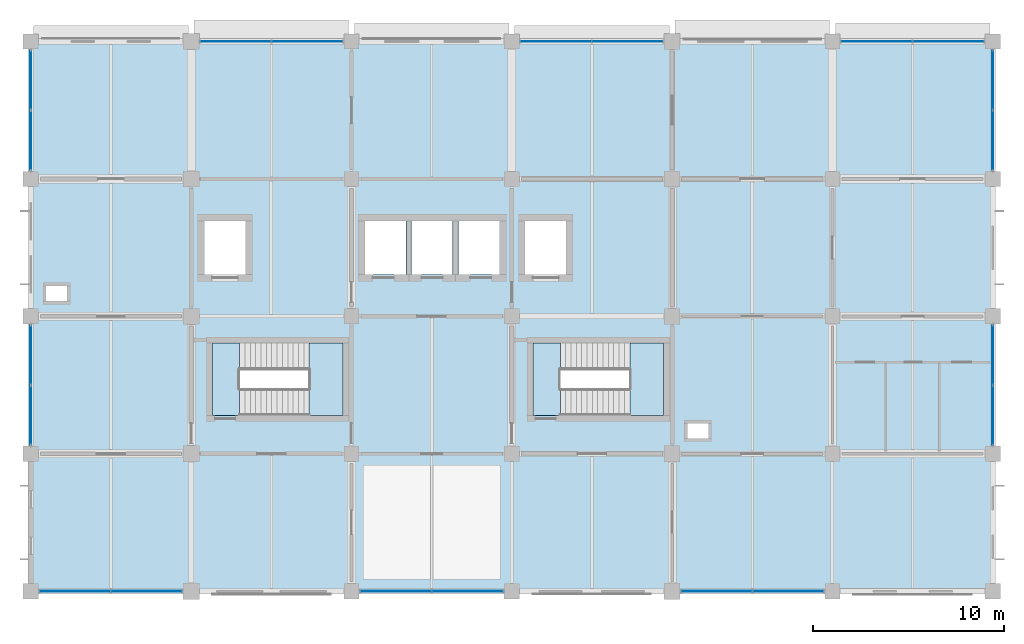
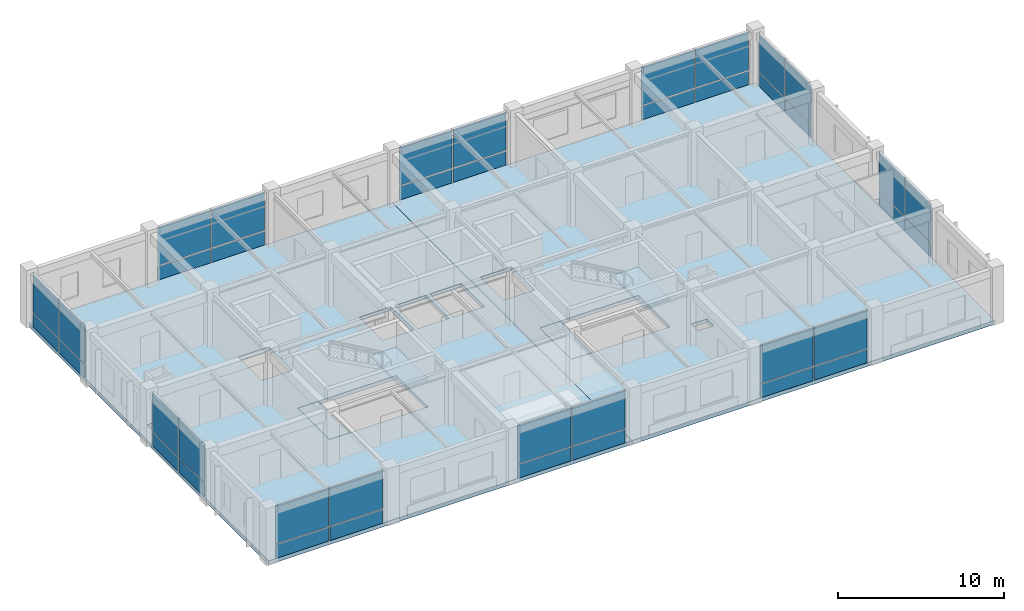
# One storey, part 7 of 13: 40 plates, 6 slabs, 12 elements without a shape of their own.
"""IFC4 building model written with IfcOpenShell, lengths in metres."""

import ifcopenshell
import ifcopenshell.guid

model = None  # the IFC model being written
_history = None  # IfcOwnerHistory: only IFC2X3 demands one
_inside = {}  # id of a spatial element -> (the spatial element, [elements in it])
_under = {}  # id of a project, library or spatial element -> (it, [spatial elements below it])
_declared = {}  # id of a project -> (the project, [libraries it declares])
_typed = {}  # id of a type object -> (the type object, [elements of that type])
_made_of = {}  # id of a material, layer set ... -> (it, [elements and type objects made of it])


def new_model(schema):
    """Start an empty IFC model of exactly this schema.

    Asked for "IFC4X3", IfcOpenShell would pick the latest addendum, in which some entities
    have other attributes; the version numbers below select the first issue.
    IFC2X3 requires an IfcOwnerHistory on every rooted entity: one is made here for all.
    """
    global model, _history
    if schema == "IFC4X3":
        model = ifcopenshell.file(schema_version=(4, 3, 0, 0))
    else:
        model = ifcopenshell.file(schema=schema)
    _inside.clear()
    _under.clear()
    _declared.clear()
    _typed.clear()
    _made_of.clear()
    _history = None
    if model.schema == "IFC2X3":
        org = make("IfcOrganization", Name="unknown")
        user = make(
            "IfcPersonAndOrganization",
            ThePerson=make("IfcPerson", FamilyName="unknown"),
            TheOrganization=org,
        )
        app = make(
            "IfcApplication",
            ApplicationDeveloper=org,
            Version="unknown",
            ApplicationFullName="unknown",
            ApplicationIdentifier="unknown",
        )
        _history = make(
            "IfcOwnerHistory",
            OwningUser=user,
            OwningApplication=app,
            ChangeAction="ADDED",
            CreationDate=0,
        )
    return model


def make(cls, **values):
    """One entity of the class cls with the attributes given. An attribute that is None is left unset."""
    return model.create_entity(
        cls, **{name: value for name, value in values.items() if value is not None}
    )


def rooted(cls, **values):
    """An entity with a GlobalId (a new one), such as an element, a storey or a relation."""
    return make(cls, GlobalId=ifcopenshell.guid.new(), OwnerHistory=_history, **values)


def si_unit(unit_type, name, prefix=None):
    """IfcSIUnit, for example si_unit("LENGTHUNIT", "METRE", prefix="MILLI")."""
    return make("IfcSIUnit", UnitType=unit_type, Prefix=prefix, Name=name)


def derived_unit(unit_type, elements):
    """IfcDerivedUnit: a product of units, each with its exponent."""
    return make(
        "IfcDerivedUnit",
        Elements=[
            make("IfcDerivedUnitElement", Unit=unit, Exponent=power)
            for unit, power in elements
        ],
        UnitType=unit_type,
    )


def assignment(units):
    """IfcUnitAssignment: the units of a project."""
    return None if units is None else make("IfcUnitAssignment", Units=units)


def point(xyz):
    """IfcCartesianPoint."""
    return None if xyz is None else make("IfcCartesianPoint", Coordinates=xyz)


def direction(xyz):
    """IfcDirection."""
    return None if xyz is None else make("IfcDirection", DirectionRatios=xyz)


def frame(location, z_axis=None, x_axis=None):
    """IfcAxis2Placement3D, a coordinate frame: its origin and axes. An axis left out is left unset."""
    return make(
        "IfcAxis2Placement3D",
        Location=point(location),
        Axis=direction(z_axis),
        RefDirection=direction(x_axis),
    )


def frame_2d(location, x_axis=None):
    """IfcAxis2Placement2D, a coordinate frame in the plane: its origin and x axis."""
    return make(
        "IfcAxis2Placement2D", Location=point(location), RefDirection=direction(x_axis)
    )


def origin():
    """The frame at (0, 0, 0) with its axes left unset."""
    return frame((0.0, 0.0, 0.0))


def origin_2d():
    """The frame at (0, 0) in the plane with its x axis left unset."""
    return frame_2d((0.0, 0.0))


def place(relative_to, where):
    """IfcLocalPlacement: puts the frame where relative to a parent placement (None: the world)."""
    return make(
        "IfcLocalPlacement", PlacementRelTo=relative_to, RelativePlacement=where
    )


def context(
    kind, dimensions, precision=None, world=None, true_north=None, identifier=None
):
    """IfcGeometricRepresentationContext, for example the 3D "Model" context."""
    return make(
        "IfcGeometricRepresentationContext",
        ContextIdentifier=identifier,
        ContextType=kind,
        CoordinateSpaceDimension=dimensions,
        Precision=precision,
        WorldCoordinateSystem=world,
        TrueNorth=true_north,
    )


def subcontext(parent, identifier, kind, view, scale=None):
    """IfcGeometricRepresentationSubContext, for example "Body" below "Model"."""
    return make(
        "IfcGeometricRepresentationSubContext",
        ContextIdentifier=identifier,
        ContextType=kind,
        ParentContext=parent,
        TargetScale=scale,
        TargetView=view,
    )


def project(units=None, contexts=None):
    """IfcProject with its units and contexts."""
    return rooted(
        "IfcProject",
        Name="project",
        RepresentationContexts=contexts,
        UnitsInContext=assignment(units),
    )


def spatial(cls, under=None, at=None, **own):
    """A site, building, storey or space (cls), placed at a placement, below another one or the project."""
    s = rooted(cls, ObjectPlacement=at, **own)
    if under is not None:
        _under.setdefault(under.id(), (under, []))[1].append(s)
    return s


def polyline(points):
    """IfcPolyline through the points."""
    return make("IfcPolyline", Points=[point(p) for p in points])


def profile(cls, at=None, kind="AREA", **sizes):
    """A parametric profile (cls). Its sizes go by their IFC names, for example OverallWidth=200.0."""
    return make(cls, ProfileType=kind, Position=at, **sizes)


def rectangle(**sizes):
    """IfcRectangleProfileDef."""
    return profile("IfcRectangleProfileDef", **sizes)


def outline(outer, holes=None, kind="AREA"):
    """IfcArbitraryClosedProfileDef: a profile drawn as a closed curve; with holes, ...WithVoids."""
    if holes is None:
        return make("IfcArbitraryClosedProfileDef", ProfileType=kind, OuterCurve=outer)
    return make(
        "IfcArbitraryProfileDefWithVoids",
        ProfileType=kind,
        OuterCurve=outer,
        InnerCurves=holes,
    )


def extrude(swept, where, along, depth):
    """IfcExtrudedAreaSolid: the profile swept, set in the frame where, extruded along a direction by depth."""
    return make(
        "IfcExtrudedAreaSolid",
        SweptArea=swept,
        Position=where,
        ExtrudedDirection=direction(along),
        Depth=depth,
    )


def shape(context_of_items, identifier, shape_type, items):
    """IfcShapeRepresentation: the items that make up one representation, for example the "Body"."""
    return make(
        "IfcShapeRepresentation",
        ContextOfItems=context_of_items,
        RepresentationIdentifier=identifier,
        RepresentationType=shape_type,
        Items=items,
    )


def material(Name=None, Category=None):
    """IfcMaterial."""
    return make("IfcMaterial", Name=Name, Category=Category)


def layer(
    of_material, thickness, ventilated=None, Name=None, Category=None, Priority=None
):
    """IfcMaterialLayer: one layer of a wall or slab, of a material (None: an air gap)."""
    return make(
        "IfcMaterialLayer",
        Material=of_material,
        LayerThickness=thickness,
        IsVentilated=ventilated,
        Name=Name,
        Category=Category,
        Priority=Priority,
    )


def layer_set(layers, Name=None):
    """IfcMaterialLayerSet."""
    return make("IfcMaterialLayerSet", MaterialLayers=layers, LayerSetName=Name)


def made_of(thing, what):
    """Note that an element or type object is made of a material, layer set ...; save() writes the relation."""
    if what is not None:
        _made_of.setdefault(what.id(), (what, []))[1].append(thing)
    return thing


def type_object(cls, material=None, **own):
    """A type object (cls), such as IfcWallType, which elements share."""
    return made_of(rooted(cls, **own), material)


def element(
    cls,
    number,
    at=None,
    inside=None,
    cuts=None,
    type_object=None,
    material=None,
    context=None,
    identifier="Body",
    shape_type=None,
    held_by="IfcProductDefinitionShape",
    body=None,
    shapes=None,
    **own,
):
    """One element of the class cls, such as IfcWall. Its Tag is "e" and its number.

    at: its placement. inside: the storey or other place that contains it. cuts: it is an
    opening in that element (IfcRelVoidsElement). A single representation is given by context,
    identifier, shape_type and body (its items); several are given by shapes. held_by: the class
    of the entity that holds the representations. save() writes the other relations.
    """
    e = rooted(cls, Tag="e%d" % number, ObjectPlacement=at, **own)
    if body is not None:
        shapes = [shape(context, identifier, shape_type, body)]
    if shapes is not None:
        e.Representation = make(held_by, Representations=shapes)
    if inside is not None:
        _inside.setdefault(inside.id(), (inside, []))[1].append(e)
    if cuts is not None:
        rooted(
            "IfcRelVoidsElement", RelatingBuildingElement=cuts, RelatedOpeningElement=e
        )
    if type_object is not None:
        _typed.setdefault(type_object.id(), (type_object, []))[1].append(e)
    return made_of(e, material)


def aggregate(whole, parts):
    """IfcRelAggregates: a whole, such as a stair, and the parts it consists of."""
    return rooted("IfcRelAggregates", RelatingObject=whole, RelatedObjects=parts)


def save(model, path):
    """Write the relations noted so far, then the file.

    IfcRelAggregates (storeys below a building ...), IfcRelContainedInSpatialStructure (elements
    in a storey), IfcRelDefinesByType, IfcRelAssociatesMaterial and IfcRelDeclares: one each for
    every whole, place, type object, material and project.
    """
    for whole, parts in _under.values():
        aggregate(whole, parts)
    for where, things in _inside.values():
        rooted(
            "IfcRelContainedInSpatialStructure",
            RelatedElements=things,
            RelatingStructure=where,
        )
    for kind, things in _typed.values():
        rooted("IfcRelDefinesByType", RelatedObjects=things, RelatingType=kind)
    for what, things in _made_of.values():
        rooted("IfcRelAssociatesMaterial", RelatedObjects=things, RelatingMaterial=what)
    for by, libraries in _declared.values():
        rooted("IfcRelDeclares", RelatingContext=by, RelatedDefinitions=libraries)
    model.write(path)


model = new_model("IFC4")

# Units and contexts
model_context = context("Model", 3, precision=1e-05, world=origin(), true_north=direction((0.0, 1.0)))
body_context = subcontext(model_context, "Body", "Model", "MODEL_VIEW")
ifc_project = project(units=[si_unit("LENGTHUNIT", "METRE"), si_unit("AREAUNIT", "SQUARE_METRE"), si_unit("VOLUMEUNIT", "CUBIC_METRE"), si_unit("PLANEANGLEUNIT", "RADIAN"), si_unit("MASSUNIT", "GRAM", prefix="KILO"), derived_unit("THERMALTRANSMITTANCEUNIT", [(si_unit("MASSUNIT", "GRAM", prefix="KILO"), 1), (si_unit("TIMEUNIT", "SECOND"), -3), (si_unit("THERMODYNAMICTEMPERATUREUNIT", "KELVIN"), -1)])], contexts=[model_context])

# Site, building, storey
site_placement = place(None, origin())
site = spatial("IfcSite", under=ifc_project, at=site_placement, CompositionType="ELEMENT")
building_placement = place(site_placement, origin())
building = spatial("IfcBuilding", under=site, at=building_placement, Name="Veldstrom Oceanarium and Marine Research Institute", CompositionType="ELEMENT")
storey_placement = place(building_placement, frame((0.0, 0.0, 27.0)))
storey = spatial("IfcBuildingStorey", under=building, at=storey_placement, Name="L05", CompositionType="ELEMENT", Elevation=27.0)

# Curtain wall, plates
ifc_material_1 = material(Name="Anodised Aluminium Framing", Category="aluminium")
curtain_wall_type_1 = type_object("IfcCurtainWallType", Name="ARC-CW-CW04", PredefinedType="USERDEFINED", material=ifc_material_1)
curtain_wall_1_placement = place(storey_placement, origin())
curtain_wall_1 = element("IfcCurtainWall", 1, at=curtain_wall_1_placement, inside=storey, type_object=curtain_wall_type_1, Name="Curtain Wall CW04 CW-L05-090", ObjectType="Curtain wall", PredefinedType="USERDEFINED")
ifc_material_2 = material(Name="Double Glazed Low-E IGU", Category="glass")
ifc_layer_1 = layer(ifc_material_2, 0.035888671875)
ifc_layer_set_1 = layer_set([ifc_layer_1], Name="ARC-PLT-CP03")
plate_type_1 = type_object("IfcPlateType", Name="ARC-PLT-CP03", PredefinedType="CURTAIN_PANEL", material=ifc_layer_set_1)
plate_1_placement = place(storey_placement, frame((69.513671875, 43.199951171875, 1.090087890625), z_axis=(0.0, 0.0, 1.0), x_axis=(1.0, 0.0, 0.0)))
plate_1 = element("IfcPlate", 2, at=plate_1_placement, type_object=plate_type_1, Name="Curtain Vision Panel CW-L05-090-PNL-V1", PredefinedType="CURTAIN_PANEL", context=body_context, shape_type="SweptSolid", body=[
    extrude(rectangle(XDim=3.66748046875, YDim=0.035888671875, at=origin_2d()), origin(), (0.0, 0.0, 1.0), 2.81005859375),
])
plate_2_placement = place(storey_placement, frame((73.26123046875, 43.199951171875, 1.090087890625), z_axis=(0.0, 0.0, 1.0), x_axis=(1.0, 0.0, 0.0)))
plate_2 = element("IfcPlate", 3, at=plate_2_placement, type_object=plate_type_1, Name="Curtain Vision Panel CW-L05-090-PNL-V2", PredefinedType="CURTAIN_PANEL", context=body_context, shape_type="SweptSolid", body=[
    extrude(rectangle(XDim=3.66748046875, YDim=0.035888671875, at=origin_2d()), origin(), (0.0, 0.0, 1.0), 2.81005859375),
])

curtain_wall_2_placement = place(storey_placement, origin())
curtain_wall_2 = element("IfcCurtainWall", 4, at=curtain_wall_2_placement, inside=storey, type_object=curtain_wall_type_1, Name="Curtain Wall CW04 CW-L05-093", ObjectType="Curtain wall", PredefinedType="USERDEFINED")
plate_3_placement = place(storey_placement, frame((77.938720703125, 72.0, 1.090087890625), z_axis=(0.0, 0.0, 1.0), x_axis=(1.0, 0.0, 0.0)))
plate_3 = element("IfcPlate", 5, at=plate_3_placement, type_object=plate_type_1, Name="Curtain Vision Panel CW-L05-093-PNL-V1", PredefinedType="CURTAIN_PANEL", context=body_context, shape_type="SweptSolid", body=[
    extrude(rectangle(XDim=3.66748046875, YDim=0.035888671875, at=origin_2d()), origin(), (0.0, 0.0, 1.0), 2.81005859375),
])
plate_4_placement = place(storey_placement, frame((81.686279296875, 72.0, 1.090087890625), z_axis=(0.0, 0.0, 1.0), x_axis=(1.0, 0.0, 0.0)))
plate_4 = element("IfcPlate", 6, at=plate_4_placement, type_object=plate_type_1, Name="Curtain Vision Panel CW-L05-093-PNL-V2", PredefinedType="CURTAIN_PANEL", context=body_context, shape_type="SweptSolid", body=[
    extrude(rectangle(XDim=3.66748046875, YDim=0.035888671875, at=origin_2d()), origin(), (0.0, 0.0, 1.0), 2.81005859375),
])

curtain_wall_3_placement = place(storey_placement, origin())
curtain_wall_3 = element("IfcCurtainWall", 7, at=curtain_wall_3_placement, inside=storey, type_object=curtain_wall_type_1, Name="Curtain Wall CW04 CW-L05-094", ObjectType="Curtain wall", PredefinedType="USERDEFINED")
plate_5_placement = place(storey_placement, frame((86.320068359375, 43.199951171875, 1.090087890625), z_axis=(0.0, 0.0, 1.0), x_axis=(1.0, 0.0, 0.0)))
plate_5 = element("IfcPlate", 8, at=plate_5_placement, type_object=plate_type_1, Name="Curtain Vision Panel CW-L05-094-PNL-V1", PredefinedType="CURTAIN_PANEL", context=body_context, shape_type="SweptSolid", body=[
    extrude(rectangle(XDim=3.679931640625, YDim=0.035888671875, at=origin_2d()), origin(), (0.0, 0.0, 1.0), 2.81005859375),
])
plate_6_placement = place(storey_placement, frame((90.080078125, 43.199951171875, 1.090087890625), z_axis=(0.0, 0.0, 1.0), x_axis=(1.0, 0.0, 0.0)))
plate_6 = element("IfcPlate", 9, at=plate_6_placement, type_object=plate_type_1, Name="Curtain Vision Panel CW-L05-094-PNL-V2", PredefinedType="CURTAIN_PANEL", context=body_context, shape_type="SweptSolid", body=[
    extrude(rectangle(XDim=3.679931640625, YDim=0.035888671875, at=origin_2d()), origin(), (0.0, 0.0, 1.0), 2.81005859375),
])

curtain_wall_4_placement = place(storey_placement, origin())
curtain_wall_4 = element("IfcCurtainWall", 10, at=curtain_wall_4_placement, inside=storey, type_object=curtain_wall_type_1, Name="Curtain Wall CW04 CW-L05-095", ObjectType="Curtain wall", PredefinedType="USERDEFINED")
plate_7_placement = place(storey_placement, frame((94.713623046875, 72.0, 1.090087890625), z_axis=(0.0, 0.0, 1.0), x_axis=(1.0, 0.0, 0.0)))
plate_7 = element("IfcPlate", 11, at=plate_7_placement, type_object=plate_type_1, Name="Curtain Vision Panel CW-L05-095-PNL-V1", PredefinedType="CURTAIN_PANEL", context=body_context, shape_type="SweptSolid", body=[
    extrude(rectangle(XDim=3.66748046875, YDim=0.035888671875, at=origin_2d()), origin(), (0.0, 0.0, 1.0), 2.81005859375),
])
plate_8_placement = place(storey_placement, frame((98.461181640625, 72.0, 1.090087890625), z_axis=(0.0, 0.0, 1.0), x_axis=(1.0, 0.0, 0.0)))
plate_8 = element("IfcPlate", 12, at=plate_8_placement, type_object=plate_type_1, Name="Curtain Vision Panel CW-L05-095-PNL-V2", PredefinedType="CURTAIN_PANEL", context=body_context, shape_type="SweptSolid", body=[
    extrude(rectangle(XDim=3.66748046875, YDim=0.035888671875, at=origin_2d()), origin(), (0.0, 0.0, 1.0), 2.81005859375),
])

curtain_wall_5_placement = place(storey_placement, origin())
curtain_wall_5 = element("IfcCurtainWall", 13, at=curtain_wall_5_placement, inside=storey, type_object=curtain_wall_type_1, Name="Curtain Wall CW04 CW-L05-096", ObjectType="Curtain wall", PredefinedType="USERDEFINED")
plate_9_placement = place(storey_placement, frame((103.138671875, 43.199951171875, 1.090087890625), z_axis=(0.0, 0.0, 1.0), x_axis=(1.0, 0.0, 0.0)))
plate_9 = element("IfcPlate", 14, at=plate_9_placement, type_object=plate_type_1, Name="Curtain Vision Panel CW-L05-096-PNL-V1", PredefinedType="CURTAIN_PANEL", context=body_context, shape_type="SweptSolid", body=[
    extrude(rectangle(XDim=3.66748046875, YDim=0.035888671875, at=origin_2d()), origin(), (0.0, 0.0, 1.0), 2.81005859375),
])
plate_10_placement = place(storey_placement, frame((106.88623046875, 43.199951171875, 1.090087890625), z_axis=(0.0, 0.0, 1.0), x_axis=(1.0, 0.0, 0.0)))
plate_10 = element("IfcPlate", 15, at=plate_10_placement, type_object=plate_type_1, Name="Curtain Vision Panel CW-L05-096-PNL-V2", PredefinedType="CURTAIN_PANEL", context=body_context, shape_type="SweptSolid", body=[
    extrude(rectangle(XDim=3.66748046875, YDim=0.035888671875, at=origin_2d()), origin(), (0.0, 0.0, 1.0), 2.81005859375),
])

curtain_wall_6_placement = place(storey_placement, origin())
curtain_wall_6 = element("IfcCurtainWall", 16, at=curtain_wall_6_placement, inside=storey, type_object=curtain_wall_type_1, Name="Curtain Wall CW04 CW-L05-098", ObjectType="Curtain wall", PredefinedType="USERDEFINED")
plate_11_placement = place(storey_placement, frame((111.52001953125, 72.0, 1.090087890625), z_axis=(0.0, 0.0, 1.0), x_axis=(1.0, 0.0, 0.0)))
plate_11 = element("IfcPlate", 17, at=plate_11_placement, type_object=plate_type_1, Name="Curtain Vision Panel CW-L05-098-PNL-V1", PredefinedType="CURTAIN_PANEL", context=body_context, shape_type="SweptSolid", body=[
    extrude(rectangle(XDim=3.679931640625, YDim=0.035888671875, at=origin_2d()), origin(), (0.0, 0.0, 1.0), 2.81005859375),
])
plate_12_placement = place(storey_placement, frame((115.280029296875, 72.0, 1.090087890625), z_axis=(0.0, 0.0, 1.0), x_axis=(1.0, 0.0, 0.0)))
plate_12 = element("IfcPlate", 18, at=plate_12_placement, type_object=plate_type_1, Name="Curtain Vision Panel CW-L05-098-PNL-V2", PredefinedType="CURTAIN_PANEL", context=body_context, shape_type="SweptSolid", body=[
    extrude(rectangle(XDim=3.679931640625, YDim=0.035888671875, at=origin_2d()), origin(), (0.0, 0.0, 1.0), 2.81005859375),
])

# Plate
ifc_material_3 = material(Name="Insulated Aluminium Spandrel", Category="aluminium")
ifc_layer_2 = layer(ifc_material_3, 0.044921875)
ifc_layer_set_2 = layer_set([ifc_layer_2], Name="ARC-PLT-CP04")
plate_type_2 = type_object("IfcPlateType", Name="ARC-PLT-CP04", PredefinedType="CURTAIN_PANEL", material=ifc_layer_set_2)
plate_13_placement = place(storey_placement, frame((69.513671875, 43.199951171875, 0.02001953125), z_axis=(0.0, 0.0, 1.0), x_axis=(1.0, 0.0, 0.0)))
plate_13 = element("IfcPlate", 19, at=plate_13_placement, type_object=plate_type_2, Name="Curtain Spandrel Panel CW-L05-090-PNL-S1", PredefinedType="CURTAIN_PANEL", context=body_context, shape_type="SweptSolid", body=[
    extrude(rectangle(XDim=3.66748046875, YDim=0.044921875, at=origin_2d()), origin(), (0.0, 0.0, 1.0), 0.989990234375),
])

plate_14_placement = place(storey_placement, frame((73.26123046875, 43.199951171875, 0.02001953125), z_axis=(0.0, 0.0, 1.0), x_axis=(1.0, 0.0, 0.0)))
plate_14 = element("IfcPlate", 20, at=plate_14_placement, type_object=plate_type_2, Name="Curtain Spandrel Panel CW-L05-090-PNL-S2", PredefinedType="CURTAIN_PANEL", context=body_context, shape_type="SweptSolid", body=[
    extrude(rectangle(XDim=3.66748046875, YDim=0.044921875, at=origin_2d()), origin(), (0.0, 0.0, 1.0), 0.989990234375),
])

aggregate(curtain_wall_1, [plate_13, plate_1, plate_14, plate_2])

plate_15_placement = place(storey_placement, frame((77.938720703125, 72.0, 0.02001953125), z_axis=(0.0, 0.0, 1.0), x_axis=(1.0, 0.0, 0.0)))
plate_15 = element("IfcPlate", 21, at=plate_15_placement, type_object=plate_type_2, Name="Curtain Spandrel Panel CW-L05-093-PNL-S1", PredefinedType="CURTAIN_PANEL", context=body_context, shape_type="SweptSolid", body=[
    extrude(rectangle(XDim=3.66748046875, YDim=0.044921875, at=origin_2d()), origin(), (0.0, 0.0, 1.0), 0.989990234375),
])

plate_16_placement = place(storey_placement, frame((81.686279296875, 72.0, 0.02001953125), z_axis=(0.0, 0.0, 1.0), x_axis=(1.0, 0.0, 0.0)))
plate_16 = element("IfcPlate", 22, at=plate_16_placement, type_object=plate_type_2, Name="Curtain Spandrel Panel CW-L05-093-PNL-S2", PredefinedType="CURTAIN_PANEL", context=body_context, shape_type="SweptSolid", body=[
    extrude(rectangle(XDim=3.66748046875, YDim=0.044921875, at=origin_2d()), origin(), (0.0, 0.0, 1.0), 0.989990234375),
])

aggregate(curtain_wall_2, [plate_15, plate_3, plate_16, plate_4])

plate_17_placement = place(storey_placement, frame((86.320068359375, 43.199951171875, 0.02001953125), z_axis=(0.0, 0.0, 1.0), x_axis=(1.0, 0.0, 0.0)))
plate_17 = element("IfcPlate", 23, at=plate_17_placement, type_object=plate_type_2, Name="Curtain Spandrel Panel CW-L05-094-PNL-S1", PredefinedType="CURTAIN_PANEL", context=body_context, shape_type="SweptSolid", body=[
    extrude(rectangle(XDim=3.679931640625, YDim=0.044921875, at=origin_2d()), origin(), (0.0, 0.0, 1.0), 0.989990234375),
])

plate_18_placement = place(storey_placement, frame((90.080078125, 43.199951171875, 0.02001953125), z_axis=(0.0, 0.0, 1.0), x_axis=(1.0, 0.0, 0.0)))
plate_18 = element("IfcPlate", 24, at=plate_18_placement, type_object=plate_type_2, Name="Curtain Spandrel Panel CW-L05-094-PNL-S2", PredefinedType="CURTAIN_PANEL", context=body_context, shape_type="SweptSolid", body=[
    extrude(rectangle(XDim=3.679931640625, YDim=0.044921875, at=origin_2d()), origin(), (0.0, 0.0, 1.0), 0.989990234375),
])

aggregate(curtain_wall_3, [plate_17, plate_5, plate_18, plate_6])

plate_19_placement = place(storey_placement, frame((94.713623046875, 72.0, 0.02001953125), z_axis=(0.0, 0.0, 1.0), x_axis=(1.0, 0.0, 0.0)))
plate_19 = element("IfcPlate", 25, at=plate_19_placement, type_object=plate_type_2, Name="Curtain Spandrel Panel CW-L05-095-PNL-S1", PredefinedType="CURTAIN_PANEL", context=body_context, shape_type="SweptSolid", body=[
    extrude(rectangle(XDim=3.66748046875, YDim=0.044921875, at=origin_2d()), origin(), (0.0, 0.0, 1.0), 0.989990234375),
])

plate_20_placement = place(storey_placement, frame((98.461181640625, 72.0, 0.02001953125), z_axis=(0.0, 0.0, 1.0), x_axis=(1.0, 0.0, 0.0)))
plate_20 = element("IfcPlate", 26, at=plate_20_placement, type_object=plate_type_2, Name="Curtain Spandrel Panel CW-L05-095-PNL-S2", PredefinedType="CURTAIN_PANEL", context=body_context, shape_type="SweptSolid", body=[
    extrude(rectangle(XDim=3.66748046875, YDim=0.044921875, at=origin_2d()), origin(), (0.0, 0.0, 1.0), 0.989990234375),
])

aggregate(curtain_wall_4, [plate_19, plate_7, plate_20, plate_8])

plate_21_placement = place(storey_placement, frame((103.138671875, 43.199951171875, 0.02001953125), z_axis=(0.0, 0.0, 1.0), x_axis=(1.0, 0.0, 0.0)))
plate_21 = element("IfcPlate", 27, at=plate_21_placement, type_object=plate_type_2, Name="Curtain Spandrel Panel CW-L05-096-PNL-S1", PredefinedType="CURTAIN_PANEL", context=body_context, shape_type="SweptSolid", body=[
    extrude(rectangle(XDim=3.66748046875, YDim=0.044921875, at=origin_2d()), origin(), (0.0, 0.0, 1.0), 0.989990234375),
])

plate_22_placement = place(storey_placement, frame((106.88623046875, 43.199951171875, 0.02001953125), z_axis=(0.0, 0.0, 1.0), x_axis=(1.0, 0.0, 0.0)))
plate_22 = element("IfcPlate", 28, at=plate_22_placement, type_object=plate_type_2, Name="Curtain Spandrel Panel CW-L05-096-PNL-S2", PredefinedType="CURTAIN_PANEL", context=body_context, shape_type="SweptSolid", body=[
    extrude(rectangle(XDim=3.66748046875, YDim=0.044921875, at=origin_2d()), origin(), (0.0, 0.0, 1.0), 0.989990234375),
])

aggregate(curtain_wall_5, [plate_21, plate_9, plate_22, plate_10])

plate_23_placement = place(storey_placement, frame((111.52001953125, 72.0, 0.02001953125), z_axis=(0.0, 0.0, 1.0), x_axis=(1.0, 0.0, 0.0)))
plate_23 = element("IfcPlate", 29, at=plate_23_placement, type_object=plate_type_2, Name="Curtain Spandrel Panel CW-L05-098-PNL-S1", PredefinedType="CURTAIN_PANEL", context=body_context, shape_type="SweptSolid", body=[
    extrude(rectangle(XDim=3.679931640625, YDim=0.044921875, at=origin_2d()), origin(), (0.0, 0.0, 1.0), 0.989990234375),
])

plate_24_placement = place(storey_placement, frame((115.280029296875, 72.0, 0.02001953125), z_axis=(0.0, 0.0, 1.0), x_axis=(1.0, 0.0, 0.0)))
plate_24 = element("IfcPlate", 30, at=plate_24_placement, type_object=plate_type_2, Name="Curtain Spandrel Panel CW-L05-098-PNL-S2", PredefinedType="CURTAIN_PANEL", context=body_context, shape_type="SweptSolid", body=[
    extrude(rectangle(XDim=3.679931640625, YDim=0.044921875, at=origin_2d()), origin(), (0.0, 0.0, 1.0), 0.989990234375),
])

aggregate(curtain_wall_6, [plate_23, plate_11, plate_24, plate_12])

# Curtain wall, plates
ifc_material_4 = material(Name="Anodised Aluminium Framing", Category="aluminium")
curtain_wall_type_2 = type_object("IfcCurtainWallType", Name="ARC-CW-CW08", PredefinedType="USERDEFINED", material=ifc_material_4)
curtain_wall_7_placement = place(storey_placement, origin())
curtain_wall_7 = element("IfcCurtainWall", 31, at=curtain_wall_7_placement, inside=storey, type_object=curtain_wall_type_2, Name="Curtain Wall CW08 CW-L05-091", ObjectType="Curtain wall", PredefinedType="USERDEFINED")
ifc_material_5 = material(Name="Double Glazed Low-E IGU", Category="glass")
ifc_layer_3 = layer(ifc_material_5, 0.035888671875)
ifc_layer_set_3 = layer_set([ifc_layer_3], Name="ARC-PLT-CP07")
plate_type_3 = type_object("IfcPlateType", Name="ARC-PLT-CP07", PredefinedType="CURTAIN_PANEL", material=ifc_layer_set_3)
plate_25_placement = place(storey_placement, frame((67.199951171875, 52.419921875, 1.090087890625), z_axis=(0.0, 0.0, 1.0), x_axis=(0.0, 1.0, 0.0)))
plate_25 = element("IfcPlate", 32, at=plate_25_placement, type_object=plate_type_3, Name="Curtain Vision Panel CW-L05-091-PNL-V1", PredefinedType="CURTAIN_PANEL", context=body_context, shape_type="SweptSolid", body=[
    extrude(rectangle(XDim=3.080078125, YDim=0.035888671875, at=origin_2d()), origin(), (0.0, 0.0, 1.0), 2.81005859375),
])
plate_26_placement = place(storey_placement, frame((67.199951171875, 55.580078125, 1.090087890625), z_axis=(0.0, 0.0, 1.0), x_axis=(0.0, 1.0, 0.0)))
plate_26 = element("IfcPlate", 33, at=plate_26_placement, type_object=plate_type_3, Name="Curtain Vision Panel CW-L05-091-PNL-V2", PredefinedType="CURTAIN_PANEL", context=body_context, shape_type="SweptSolid", body=[
    extrude(rectangle(XDim=3.080078125, YDim=0.035888671875, at=origin_2d()), origin(), (0.0, 0.0, 1.0), 2.81005859375),
])

curtain_wall_8_placement = place(storey_placement, origin())
curtain_wall_8 = element("IfcCurtainWall", 34, at=curtain_wall_8_placement, inside=storey, type_object=curtain_wall_type_2, Name="Curtain Wall CW08 CW-L05-092", ObjectType="Curtain wall", PredefinedType="USERDEFINED")
plate_27_placement = place(storey_placement, frame((67.199951171875, 66.820068359375, 1.090087890625), z_axis=(0.0, 0.0, 1.0), x_axis=(0.0, 1.0, 0.0)))
plate_27 = element("IfcPlate", 35, at=plate_27_placement, type_object=plate_type_3, Name="Curtain Vision Panel CW-L05-092-PNL-V1", PredefinedType="CURTAIN_PANEL", context=body_context, shape_type="SweptSolid", body=[
    extrude(rectangle(XDim=3.080078125, YDim=0.035888671875, at=origin_2d()), origin(), (0.0, 0.0, 1.0), 2.81005859375),
])
plate_28_placement = place(storey_placement, frame((67.199951171875, 69.97998046875, 1.090087890625), z_axis=(0.0, 0.0, 1.0), x_axis=(0.0, 1.0, 0.0)))
plate_28 = element("IfcPlate", 36, at=plate_28_placement, type_object=plate_type_3, Name="Curtain Vision Panel CW-L05-092-PNL-V2", PredefinedType="CURTAIN_PANEL", context=body_context, shape_type="SweptSolid", body=[
    extrude(rectangle(XDim=3.080078125, YDim=0.035888671875, at=origin_2d()), origin(), (0.0, 0.0, 1.0), 2.81005859375),
])

curtain_wall_9_placement = place(storey_placement, origin())
curtain_wall_9 = element("IfcCurtainWall", 37, at=curtain_wall_9_placement, inside=storey, type_object=curtain_wall_type_2, Name="Curtain Wall CW08 CW-L05-097", ObjectType="Curtain wall", PredefinedType="USERDEFINED")
plate_29_placement = place(storey_placement, frame((117.60009765625, 52.419921875, 1.090087890625), z_axis=(0.0, 0.0, 1.0), x_axis=(0.0, 1.0, 0.0)))
plate_29 = element("IfcPlate", 38, at=plate_29_placement, type_object=plate_type_3, Name="Curtain Vision Panel CW-L05-097-PNL-V1", PredefinedType="CURTAIN_PANEL", context=body_context, shape_type="SweptSolid", body=[
    extrude(rectangle(XDim=3.080078125, YDim=0.035888671875, at=origin_2d()), origin(), (0.0, 0.0, 1.0), 2.81005859375),
])
plate_30_placement = place(storey_placement, frame((117.60009765625, 55.580078125, 1.090087890625), z_axis=(0.0, 0.0, 1.0), x_axis=(0.0, 1.0, 0.0)))
plate_30 = element("IfcPlate", 39, at=plate_30_placement, type_object=plate_type_3, Name="Curtain Vision Panel CW-L05-097-PNL-V2", PredefinedType="CURTAIN_PANEL", context=body_context, shape_type="SweptSolid", body=[
    extrude(rectangle(XDim=3.080078125, YDim=0.035888671875, at=origin_2d()), origin(), (0.0, 0.0, 1.0), 2.81005859375),
])

curtain_wall_10_placement = place(storey_placement, origin())
curtain_wall_10 = element("IfcCurtainWall", 40, at=curtain_wall_10_placement, inside=storey, type_object=curtain_wall_type_2, Name="Curtain Wall CW08 CW-L05-099", ObjectType="Curtain wall", PredefinedType="USERDEFINED")
plate_31_placement = place(storey_placement, frame((117.60009765625, 66.820068359375, 1.090087890625), z_axis=(0.0, 0.0, 1.0), x_axis=(0.0, 1.0, 0.0)))
plate_31 = element("IfcPlate", 41, at=plate_31_placement, type_object=plate_type_3, Name="Curtain Vision Panel CW-L05-099-PNL-V1", PredefinedType="CURTAIN_PANEL", context=body_context, shape_type="SweptSolid", body=[
    extrude(rectangle(XDim=3.080078125, YDim=0.035888671875, at=origin_2d()), origin(), (0.0, 0.0, 1.0), 2.81005859375),
])
plate_32_placement = place(storey_placement, frame((117.60009765625, 69.97998046875, 1.090087890625), z_axis=(0.0, 0.0, 1.0), x_axis=(0.0, 1.0, 0.0)))
plate_32 = element("IfcPlate", 42, at=plate_32_placement, type_object=plate_type_3, Name="Curtain Vision Panel CW-L05-099-PNL-V2", PredefinedType="CURTAIN_PANEL", context=body_context, shape_type="SweptSolid", body=[
    extrude(rectangle(XDim=3.080078125, YDim=0.035888671875, at=origin_2d()), origin(), (0.0, 0.0, 1.0), 2.81005859375),
])

# Plate
ifc_material_6 = material(Name="Insulated Aluminium Spandrel", Category="aluminium")
ifc_layer_4 = layer(ifc_material_6, 0.044921875)
ifc_layer_set_4 = layer_set([ifc_layer_4], Name="ARC-PLT-CP08")
plate_type_4 = type_object("IfcPlateType", Name="ARC-PLT-CP08", PredefinedType="CURTAIN_PANEL", material=ifc_layer_set_4)
plate_33_placement = place(storey_placement, frame((67.199951171875, 52.419921875, 0.02001953125), z_axis=(0.0, 0.0, 1.0), x_axis=(0.0, 1.0, 0.0)))
plate_33 = element("IfcPlate", 43, at=plate_33_placement, type_object=plate_type_4, Name="Curtain Spandrel Panel CW-L05-091-PNL-S1", PredefinedType="CURTAIN_PANEL", context=body_context, shape_type="SweptSolid", body=[
    extrude(rectangle(XDim=3.080078125, YDim=0.044921875, at=origin_2d()), origin(), (0.0, 0.0, 1.0), 0.989990234375),
])

plate_34_placement = place(storey_placement, frame((67.199951171875, 55.580078125, 0.02001953125), z_axis=(0.0, 0.0, 1.0), x_axis=(0.0, 1.0, 0.0)))
plate_34 = element("IfcPlate", 44, at=plate_34_placement, type_object=plate_type_4, Name="Curtain Spandrel Panel CW-L05-091-PNL-S2", PredefinedType="CURTAIN_PANEL", context=body_context, shape_type="SweptSolid", body=[
    extrude(rectangle(XDim=3.080078125, YDim=0.044921875, at=origin_2d()), origin(), (0.0, 0.0, 1.0), 0.989990234375),
])

aggregate(curtain_wall_7, [plate_33, plate_25, plate_34, plate_26])

plate_35_placement = place(storey_placement, frame((67.199951171875, 66.820068359375, 0.02001953125), z_axis=(0.0, 0.0, 1.0), x_axis=(0.0, 1.0, 0.0)))
plate_35 = element("IfcPlate", 45, at=plate_35_placement, type_object=plate_type_4, Name="Curtain Spandrel Panel CW-L05-092-PNL-S1", PredefinedType="CURTAIN_PANEL", context=body_context, shape_type="SweptSolid", body=[
    extrude(rectangle(XDim=3.080078125, YDim=0.044921875, at=origin_2d()), origin(), (0.0, 0.0, 1.0), 0.989990234375),
])

plate_36_placement = place(storey_placement, frame((67.199951171875, 69.97998046875, 0.02001953125), z_axis=(0.0, 0.0, 1.0), x_axis=(0.0, 1.0, 0.0)))
plate_36 = element("IfcPlate", 46, at=plate_36_placement, type_object=plate_type_4, Name="Curtain Spandrel Panel CW-L05-092-PNL-S2", PredefinedType="CURTAIN_PANEL", context=body_context, shape_type="SweptSolid", body=[
    extrude(rectangle(XDim=3.080078125, YDim=0.044921875, at=origin_2d()), origin(), (0.0, 0.0, 1.0), 0.989990234375),
])

aggregate(curtain_wall_8, [plate_35, plate_27, plate_36, plate_28])

plate_37_placement = place(storey_placement, frame((117.60009765625, 52.419921875, 0.02001953125), z_axis=(0.0, 0.0, 1.0), x_axis=(0.0, 1.0, 0.0)))
plate_37 = element("IfcPlate", 47, at=plate_37_placement, type_object=plate_type_4, Name="Curtain Spandrel Panel CW-L05-097-PNL-S1", PredefinedType="CURTAIN_PANEL", context=body_context, shape_type="SweptSolid", body=[
    extrude(rectangle(XDim=3.080078125, YDim=0.044921875, at=origin_2d()), origin(), (0.0, 0.0, 1.0), 0.989990234375),
])

plate_38_placement = place(storey_placement, frame((117.60009765625, 55.580078125, 0.02001953125), z_axis=(0.0, 0.0, 1.0), x_axis=(0.0, 1.0, 0.0)))
plate_38 = element("IfcPlate", 48, at=plate_38_placement, type_object=plate_type_4, Name="Curtain Spandrel Panel CW-L05-097-PNL-S2", PredefinedType="CURTAIN_PANEL", context=body_context, shape_type="SweptSolid", body=[
    extrude(rectangle(XDim=3.080078125, YDim=0.044921875, at=origin_2d()), origin(), (0.0, 0.0, 1.0), 0.989990234375),
])

aggregate(curtain_wall_9, [plate_37, plate_29, plate_38, plate_30])

plate_39_placement = place(storey_placement, frame((117.60009765625, 66.820068359375, 0.02001953125), z_axis=(0.0, 0.0, 1.0), x_axis=(0.0, 1.0, 0.0)))
plate_39 = element("IfcPlate", 49, at=plate_39_placement, type_object=plate_type_4, Name="Curtain Spandrel Panel CW-L05-099-PNL-S1", PredefinedType="CURTAIN_PANEL", context=body_context, shape_type="SweptSolid", body=[
    extrude(rectangle(XDim=3.080078125, YDim=0.044921875, at=origin_2d()), origin(), (0.0, 0.0, 1.0), 0.989990234375),
])

plate_40_placement = place(storey_placement, frame((117.60009765625, 69.97998046875, 0.02001953125), z_axis=(0.0, 0.0, 1.0), x_axis=(0.0, 1.0, 0.0)))
plate_40 = element("IfcPlate", 50, at=plate_40_placement, type_object=plate_type_4, Name="Curtain Spandrel Panel CW-L05-099-PNL-S2", PredefinedType="CURTAIN_PANEL", context=body_context, shape_type="SweptSolid", body=[
    extrude(rectangle(XDim=3.080078125, YDim=0.044921875, at=origin_2d()), origin(), (0.0, 0.0, 1.0), 0.989990234375),
])

aggregate(curtain_wall_10, [plate_39, plate_31, plate_40, plate_32])

# Slabs
ifc_material_7 = material(Name="Concrete C40/50", Category="concrete")
ifc_layer_5 = layer(ifc_material_7, 0.280029296875)
ifc_layer_set_5 = layer_set([ifc_layer_5], Name="STR-SLB-FL0280")
slab_type_1 = type_object("IfcSlabType", Name="STR-SLB-FL0280", PredefinedType="FLOOR", material=ifc_layer_set_5)
slab_1_placement = place(storey_placement, frame((0.0, 0.0, -0.280029296875)))
element("IfcSlab", 51, at=slab_1_placement, inside=storey, type_object=slab_type_1, Name="Slab SF-280 L05 CW", PredefinedType="FLOOR", context=body_context, shape_type="SweptSolid", body=[
    extrude(outline(polyline([(92.39990234375, 50.39990234375), (92.39990234375, 43.199951171875), (84.0, 43.199951171875), (75.60009765625, 43.199951171875), (67.199951171875, 43.199951171875), (67.199951171875, 50.39990234375), (67.199951171875, 57.60009765625), (67.199951171875, 64.800048828125), (67.199951171875, 72.0), (75.60009765625, 72.0), (84.0, 72.0), (92.39990234375, 72.0), (92.39990234375, 64.800048828125), (92.39990234375, 57.60009765625), (92.39990234375, 50.39990234375)]), holes=[polyline([(83.56005859375, 52.39990234375), (83.56005859375, 56.199951171875), (76.719970703125, 56.199951171875), (76.719970703125, 52.39990234375), (83.56005859375, 52.39990234375)]), polyline([(76.300048828125, 62.60009765625), (76.300048828125, 59.800048828125), (78.449951171875, 59.800048828125), (78.449951171875, 62.60009765625), (76.300048828125, 62.60009765625)]), polyline([(86.85009765625, 59.800048828125), (86.85009765625, 62.60009765625), (84.699951171875, 62.60009765625), (84.699951171875, 59.800048828125), (86.85009765625, 59.800048828125)]), polyline([(87.14990234375, 59.800048828125), (89.300048828125, 59.800048828125), (89.300048828125, 62.60009765625), (87.14990234375, 62.60009765625), (87.14990234375, 59.800048828125)]), polyline([(89.60009765625, 62.60009765625), (89.60009765625, 59.800048828125), (91.75, 59.800048828125), (91.75, 62.60009765625), (89.60009765625, 62.60009765625)]), polyline([(69.10009765625, 59.199951171875), (68.0, 59.199951171875), (68.0, 58.39990234375), (69.10009765625, 58.39990234375), (69.10009765625, 59.199951171875)])]), origin(), (0.0, 0.0, 1.0), 0.280029296875),
])
slab_2_placement = place(storey_placement, frame((0.0, 0.0, -0.280029296875)))
element("IfcSlab", 52, at=slab_2_placement, inside=storey, type_object=slab_type_1, Name="Slab SF-280 L05 CE", PredefinedType="FLOOR", context=body_context, shape_type="SweptSolid", body=[
    extrude(outline(polyline([(117.60009765625, 57.60009765625), (117.60009765625, 50.39990234375), (117.60009765625, 43.199951171875), (109.199951171875, 43.199951171875), (100.800048828125, 43.199951171875), (92.39990234375, 43.199951171875), (92.39990234375, 50.39990234375), (92.39990234375, 57.60009765625), (92.39990234375, 64.800048828125), (92.39990234375, 72.0), (100.800048828125, 72.0), (109.199951171875, 72.0), (117.60009765625, 72.0), (117.60009765625, 64.800048828125), (117.60009765625, 57.60009765625)]), holes=[polyline([(93.52001953125, 52.39990234375), (100.360107421875, 52.39990234375), (100.360107421875, 56.199951171875), (93.52001953125, 56.199951171875), (93.52001953125, 52.39990234375)]), polyline([(95.25, 62.60009765625), (93.10009765625, 62.60009765625), (93.10009765625, 59.800048828125), (95.25, 59.800048828125), (95.25, 62.60009765625)]), polyline([(102.699951171875, 52.0), (101.60009765625, 52.0), (101.60009765625, 51.199951171875), (102.699951171875, 51.199951171875), (102.699951171875, 52.0)])]), origin(), (0.0, 0.0, 1.0), 0.280029296875),
])

# Stair, slab
ifc_material_8 = material(Name="Concrete C40/50", Category="concrete")
stair_type = type_object("IfcStairType", Name="ARC-STR-ST-420", PredefinedType="TWO_STRAIGHT_RUN_STAIR", material=ifc_material_8)
stair_1_placement = place(storey_placement, origin())
stair_1 = element("IfcStair", 53, at=stair_1_placement, inside=storey, type_object=stair_type, Name="Dog-Leg Escape Stair ST1-L05", PredefinedType="TWO_STRAIGHT_RUN_STAIR")
ifc_material_9 = material(Name="Concrete C40/50", Category="concrete")
ifc_layer_6 = layer(ifc_material_9, 0.179931640625)
ifc_layer_set_6 = layer_set([ifc_layer_6], Name="STR-SLB-LD180")
slab_type_2 = type_object("IfcSlabType", Name="STR-SLB-LD180", PredefinedType="LANDING", material=ifc_layer_set_6)
slab_3_placement = place(storey_placement, frame((0.0, 0.0, 1.919921875)))
slab_3 = element("IfcSlab", 54, at=slab_3_placement, type_object=slab_type_2, Name="Stair Half-Landing ST1 L05", PredefinedType="LANDING", context=body_context, shape_type="SweptSolid", body=[
    extrude(outline(polyline([(81.780029296875, 52.39990234375), (83.56005859375, 52.39990234375), (83.56005859375, 56.199951171875), (81.780029296875, 56.199951171875), (81.780029296875, 52.39990234375)])), origin(), (0.0, 0.0, 1.0), 0.18017578125),
])
aggregate(stair_1, [slab_3])

stair_2_placement = place(storey_placement, origin())
stair_2 = element("IfcStair", 55, at=stair_2_placement, inside=storey, type_object=stair_type, Name="Dog-Leg Escape Stair ST2-L05", PredefinedType="TWO_STRAIGHT_RUN_STAIR")
slab_4_placement = place(storey_placement, frame((0.0, 0.0, 1.919921875)))
slab_4 = element("IfcSlab", 56, at=slab_4_placement, type_object=slab_type_2, Name="Stair Half-Landing ST2 L05", PredefinedType="LANDING", context=body_context, shape_type="SweptSolid", body=[
    extrude(outline(polyline([(98.580078125, 52.39990234375), (100.360107421875, 52.39990234375), (100.360107421875, 56.199951171875), (98.580078125, 56.199951171875), (98.580078125, 52.39990234375)])), origin(), (0.0, 0.0, 1.0), 0.18017578125),
])
aggregate(stair_2, [slab_4])

# Slabs
ifc_material_10 = material(Name="Concrete C40/50", Category="concrete")
ifc_layer_7 = layer(ifc_material_10, 0.199951171875)
ifc_layer_set_7 = layer_set([ifc_layer_7], Name="STR-SLB-LD200")
slab_type_3 = type_object("IfcSlabType", Name="STR-SLB-LD200", PredefinedType="LANDING", material=ifc_layer_set_7)
slab_5_placement = place(storey_placement, frame((0.0, 0.0, -0.199951171875)))
element("IfcSlab", 57, at=slab_5_placement, inside=storey, type_object=slab_type_3, Name="Stair Floor Landing ST1 L05", PredefinedType="LANDING", context=body_context, shape_type="SweptSolid", body=[
    extrude(outline(polyline([(76.719970703125, 52.39990234375), (78.139892578125, 52.39990234375), (78.139892578125, 56.199951171875), (76.719970703125, 56.199951171875), (76.719970703125, 52.39990234375)])), origin(), (0.0, 0.0, 1.0), 0.199951171875),
])
slab_6_placement = place(storey_placement, frame((0.0, 0.0, -0.199951171875)))
element("IfcSlab", 58, at=slab_6_placement, inside=storey, type_object=slab_type_3, Name="Stair Floor Landing ST2 L05", PredefinedType="LANDING", context=body_context, shape_type="SweptSolid", body=[
    extrude(outline(polyline([(93.52001953125, 52.39990234375), (94.93994140625, 52.39990234375), (94.93994140625, 56.199951171875), (93.52001953125, 56.199951171875), (93.52001953125, 52.39990234375)])), origin(), (0.0, 0.0, 1.0), 0.199951171875),
])

save(model, "model.ifc")
